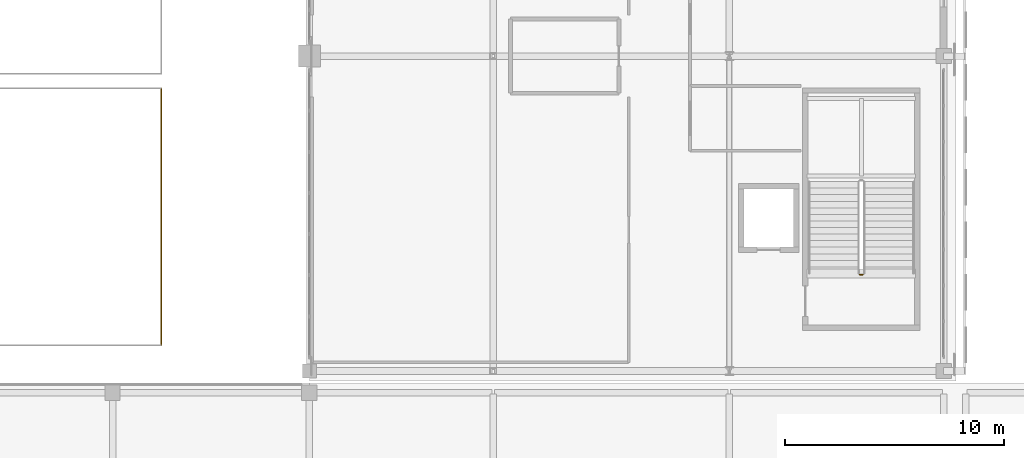
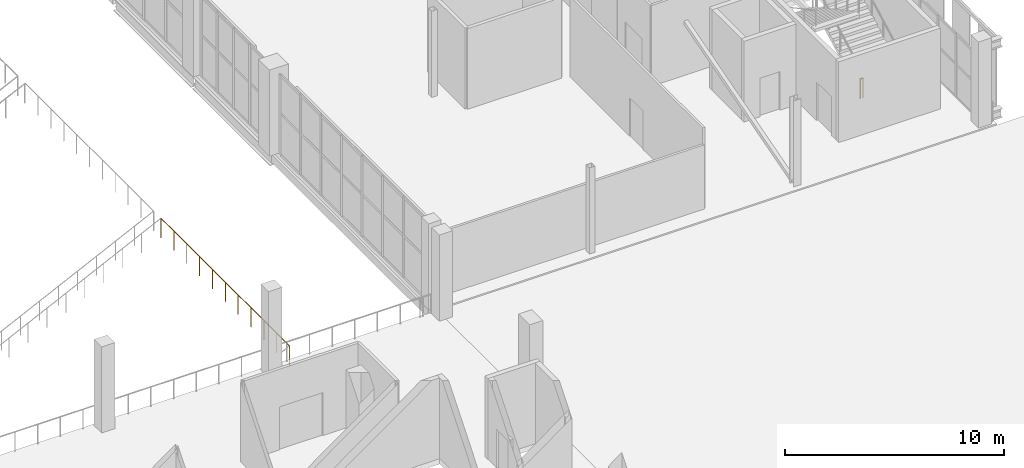
# One storey, part 93 of 104: 2 railings.
"""IFC4 building model written with IfcOpenShell, lengths in metres."""

from ifc_helpers import new_model, si_unit, direction, frame, origin, origin_2d, place, context, subcontext, project, spatial, circle, extrude, material, type_object, element, save


model = new_model("IFC4")

# Units and contexts
model_context = context("Model", 3, precision=1e-05, world=origin(), true_north=direction((0.0, 1.0)))
body_context = subcontext(model_context, "Body", "Model", "MODEL_VIEW")
ifc_project = project(units=[si_unit("LENGTHUNIT", "METRE"), si_unit("AREAUNIT", "SQUARE_METRE"), si_unit("VOLUMEUNIT", "CUBIC_METRE"), si_unit("PLANEANGLEUNIT", "RADIAN"), si_unit("MASSUNIT", "GRAM", prefix="KILO")], contexts=[model_context])

# Site, building, storey
site_placement = place(None, origin())
site = spatial("IfcSite", under=ifc_project, at=site_placement, CompositionType="ELEMENT")
building_placement = place(site_placement, origin())
building = spatial("IfcBuilding", under=site, at=building_placement, Name="Koshinbarg Plaza Stadium", CompositionType="ELEMENT")
storey_placement = place(building_placement, frame((0.0, 0.0, 19.800048828125)))
storey = spatial("IfcBuildingStorey", under=building, at=storey_placement, Name="L04", CompositionType="ELEMENT", Elevation=19.800048828125)

# Railings
ifc_material = material(Name="Galvanized painted steel guardrail", Category="steel")
railing_type = type_object("IfcRailingType", Name="RL-GUARD-1100", PredefinedType="GUARDRAIL", material=ifc_material)
railing_1_placement = place(storey_placement, frame((182.6201171875, 26.679931640625, -1.739990234375)))
element("IfcRailing", 1, at=railing_1_placement, inside=storey, type_object=railing_type, Name="UT-E01 rear stand guard", PredefinedType="GUARDRAIL", context=body_context, shape_type="SweptSolid", body=[
    extrude(circle(Radius=0.02392578125, at=origin_2d()), frame((0.0, 0.0, 1.076171875), z_axis=(0.0, 1.0, 0.0), x_axis=(-1.0, 0.0, 0.0)), (0.0, 0.0, 1.0), 11.739990234375),
    extrude(circle(Radius=0.02099609375, at=origin_2d()), origin(), (0.0, 0.0, 1.0), 1.052001953125),
    extrude(circle(Radius=0.02099609375, at=origin_2d()), frame((0.0, 1.174072265625, 0.0)), (0.0, 0.0, 1.0), 1.052001953125),
    extrude(circle(Radius=0.02099609375, at=origin_2d()), frame((0.0, 2.347900390625, 0.0)), (0.0, 0.0, 1.0), 1.052001953125),
    extrude(circle(Radius=0.02099609375, at=origin_2d()), frame((0.0, 3.52197265625, 0.0)), (0.0, 0.0, 1.0), 1.052001953125),
    extrude(circle(Radius=0.02099609375, at=origin_2d()), frame((0.0, 4.696044921875, 0.0)), (0.0, 0.0, 1.0), 1.052001953125),
    extrude(circle(Radius=0.02099609375, at=origin_2d()), frame((0.0, 5.8701171875, 0.0)), (0.0, 0.0, 1.0), 1.052001953125),
    extrude(circle(Radius=0.02099609375, at=origin_2d()), frame((0.0, 7.0439453125, 0.0)), (0.0, 0.0, 1.0), 1.052001953125),
    extrude(circle(Radius=0.02099609375, at=origin_2d()), frame((0.0, 8.218017578125, 0.0)), (0.0, 0.0, 1.0), 1.052001953125),
    extrude(circle(Radius=0.02099609375, at=origin_2d()), frame((0.0, 9.39208984375, 0.0)), (0.0, 0.0, 1.0), 1.052001953125),
    extrude(circle(Radius=0.02099609375, at=origin_2d()), frame((0.0, 10.56591796875, 0.0)), (0.0, 0.0, 1.0), 1.052001953125),
    extrude(circle(Radius=0.02099609375, at=origin_2d()), frame((0.0, 11.739990234375, 0.0)), (0.0, 0.0, 1.0), 1.052001953125),
])
railing_2_placement = place(storey_placement, frame((214.7099609375, 29.909912109375, 0.0)))
element("IfcRailing", 2, at=railing_2_placement, inside=storey, type_object=railing_type, Name="L04 C07 stair guard 4", PredefinedType="GUARDRAIL", context=body_context, shape_type="SweptSolid", body=[
    extrude(circle(Radius=0.02392578125, at=origin_2d()), frame((0.0, 0.0, 1.076171875), z_axis=(-1.0, 0.0, 0.0), x_axis=(0.0, -1.0, 0.0)), (0.0, 0.0, 1.0), 0.14990234375),
    extrude(circle(Radius=0.02099609375, at=origin_2d()), origin(), (0.0, 0.0, 1.0), 1.052001953125),
    extrude(circle(Radius=0.02099609375, at=origin_2d()), frame((-0.14990234375, 0.0, 0.0)), (0.0, 0.0, 1.0), 1.052001953125),
])

save(model, "model.ifc")
